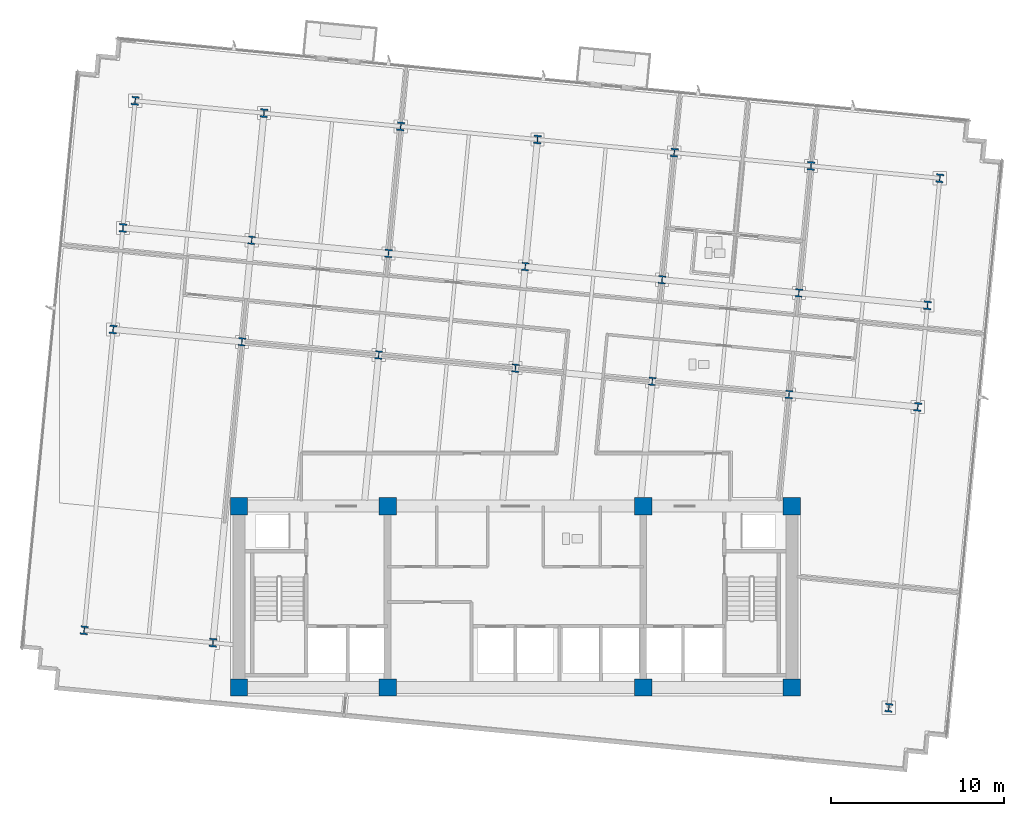
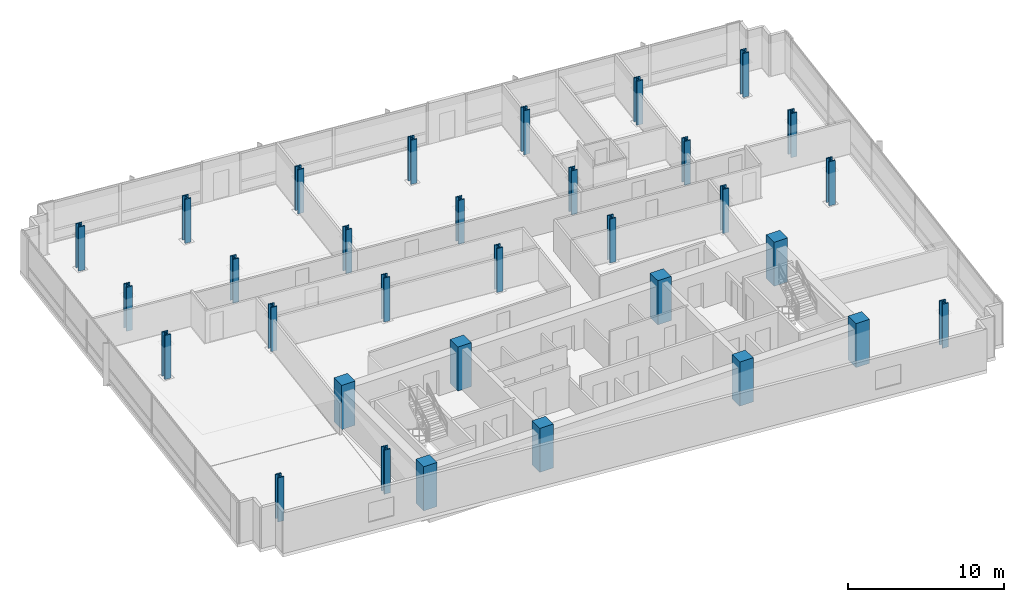
# One storey, part 1 of 17: 32 columns.
"""IFC4 building model written with IfcOpenShell, lengths in metres."""

from ifc_helpers import new_model, si_unit, direction, frame, origin, origin_2d, place, context, subcontext, project, spatial, rectangle, i_section, extrude, material, material_profile, profile_set, type_object, element, save


model = new_model("IFC4")

# Units and contexts
model_context = context("Model", 3, precision=1e-05, world=origin(), true_north=direction((0.0, 1.0)))
body_context = subcontext(model_context, "Body", "Model", "MODEL_VIEW")
ifc_project = project(units=[si_unit("LENGTHUNIT", "METRE"), si_unit("AREAUNIT", "SQUARE_METRE"), si_unit("VOLUMEUNIT", "CUBIC_METRE"), si_unit("PLANEANGLEUNIT", "RADIAN"), si_unit("MASSUNIT", "GRAM", prefix="KILO")], contexts=[model_context])

# Site, building, storey
site_placement = place(None, origin())
site = spatial("IfcSite", under=ifc_project, at=site_placement, CompositionType="ELEMENT")
building_placement = place(site_placement, origin())
building = spatial("IfcBuilding", under=site, at=building_placement, Name="Solmavex Isthmus Hotel", CompositionType="ELEMENT")
storey_placement = place(building_placement, frame((0.0, 0.0, 163.5)))
storey = spatial("IfcBuildingStorey", under=building, at=storey_placement, Name="L44", CompositionType="ELEMENT", Elevation=163.5)

# Columns
ifc_material_1 = material(Name="Concrete C60/75", Category="concrete")
ifc_material_profile_1 = material_profile(ifc_material_1, rectangle(XDim=1.0, YDim=1.0, at=origin_2d()), Name="RC1000X1000")
ifc_profile_set_1 = profile_set([ifc_material_profile_1], Name="Concrete C60/75")
column_type_1 = type_object("IfcColumnType", Name="COL-CC-1000", PredefinedType="COLUMN", material=ifc_profile_set_1)
for number, where, z_axis, x_axis, name in (
    (1, (-16.0, -13.0, 0.0), (0.0, 0.0, 1.0), (1.0, 0.0, 0.0), "Core Pilaster CC-SW L44"),
    (2, (-7.39990234375, -13.0, 0.0), (0.0, 0.0, 1.0), (1.0, 0.0, 0.0), "Core Pilaster CC-S1 L44"),
    (3, (7.39990234375, -13.0, 0.0), (0.0, 0.0, 1.0), (1.0, 0.0, 0.0), "Core Pilaster CC-S2 L44"),
    (4, (16.0, -13.0, 0.0), (0.0, 0.0, 1.0), (1.0, 0.0, 0.0), "Core Pilaster CC-SE L44"),
    (5, (-16.0, -2.5, 0.0), (0.0, 0.0, 1.0), (1.0, 0.0, 0.0), "Core Pilaster CC-NW L44"),
    (6, (-7.39990234375, -2.5, 0.0), (0.0, 0.0, 1.0), (1.0, 0.0, 0.0), "Core Pilaster CC-N1 L44"),
    (7, (7.39990234375, -2.5, 0.0), (0.0, 0.0, 1.0), (1.0, 0.0, 0.0), "Core Pilaster CC-N2 L44"),
    (8, (16.0, -2.5, 0.0), (0.0, 0.0, 1.0), (1.0, 0.0, 0.0), "Core Pilaster CC-NE L44"),
):
    element("IfcColumn", number, at=place(storey_placement, frame(where, z_axis=z_axis, x_axis=x_axis)), inside=storey, type_object=column_type_1, Name=name, PredefinedType="COLUMN", context=body_context, shape_type="SweptSolid", body=[
        extrude(rectangle(XDim=1.0, YDim=1.0, at=origin_2d()), origin(), (0.0, 0.0, 1.0), 3.449951171875),
    ])
ifc_material_2 = material(Name="Steel ASTM A913 Grade 65", Category="steel")
ifc_material_profile_2 = material_profile(ifc_material_2, i_section(OverallWidth=0.424072265625, OverallDepth=0.47412109375, WebThickness=0.047607421875, FlangeThickness=0.0771484375, FilletRadius=0.030517578125, at=origin_2d()), Name="W14X426")
ifc_profile_set_2 = profile_set([ifc_material_profile_2], Name="Steel ASTM A913 Grade 65")
column_type_2 = type_object("IfcColumnType", Name="COL-SC-W14X426", PredefinedType="COLUMN", material=ifc_profile_set_2)
for number, where, z_axis, x_axis, name in (
    (9, (-15.83740234375, 7.015380859375, 0.0), (0.0, 0.0, 1.0), (0.995396198367, -0.09584575252, 0.0), "Tower Column B3-U2V2 L44"),
    (10, (-15.271240234375, 12.896240234375, 0.0), (0.0, 0.0, 1.0), (0.995396198367, -0.09584575252, 0.0), "Tower Column B3-U2V3 L44"),
    (11, (-7.918212890625, 6.2529296875, 0.0), (0.0, 0.0, 1.0), (0.995396198367, -0.09584575252, 0.0), "Tower Column B3-U3V2 L44"),
    (12, (-7.351806640625, 12.1337890625, 0.0), (0.0, 0.0, 1.0), (0.995396198367, -0.09584575252, 0.0), "Tower Column B3-U3V3 L44"),
    (13, (0.001220703125, 5.490234375, 0.0), (0.0, 0.0, 1.0), (0.995396198367, -0.09584575252, 0.0), "Tower Column B3-U4V2 L44"),
    (14, (0.567626953125, 11.37109375, 0.0), (0.0, 0.0, 1.0), (0.995396198367, -0.09584575252, 0.0), "Tower Column B3-U4V3 L44"),
    (15, (7.920654296875, 4.727783203125, 0.0), (0.0, 0.0, 1.0), (0.995396198367, -0.09584575252, 0.0), "Tower Column B3-U5V2 L44"),
    (16, (8.48681640625, 10.608642578125, 0.0), (0.0, 0.0, 1.0), (0.995396198367, -0.09584575252, 0.0), "Tower Column B3-U5V3 L44"),
    (17, (15.840087890625, 3.96533203125, 0.0), (0.0, 0.0, 1.0), (0.995396198367, -0.09584575252, 0.0), "Tower Column B3-U6V2 L44"),
    (18, (16.40625, 9.845947265625, 0.0), (0.0, 0.0, 1.0), (0.995396198367, -0.09584575252, 0.0), "Tower Column B3-U6V3 L44"),
):
    element("IfcColumn", number, at=place(storey_placement, frame(where, z_axis=z_axis, x_axis=x_axis)), inside=storey, type_object=column_type_2, Name=name, PredefinedType="COLUMN", context=body_context, shape_type="SweptSolid", body=[
        extrude(i_section(OverallWidth=0.424072265625, OverallDepth=0.47412109375, WebThickness=0.047607421875, FlangeThickness=0.0771484375, FilletRadius=0.030517578125, at=origin_2d()), origin(), (0.0, 0.0, 1.0), 3.449951171875),
    ])
ifc_material_profile_3 = material_profile(ifc_material_2, i_section(OverallWidth=0.43212890625, OverallDepth=0.497802734375, WebThickness=0.0556640625, FlangeThickness=0.0888671875, FilletRadius=0.030517578125, at=origin_2d()), Name="W14X500")
ifc_profile_set_3 = profile_set([ifc_material_profile_3], Name="Steel ASTM A913 Grade 65")
column_type_3 = type_object("IfcColumnType", Name="COL-SC-W14X500", PredefinedType="COLUMN", material=ifc_profile_set_3)
for number, where, z_axis, x_axis, name in (
    (19, (-24.96826171875, -9.686279296875, 0.0), (0.0, 0.0, 1.0), (0.995396198367, -0.09584575252, 0.0), "Tower Column B3-U1V1 L44"),
    (20, (-23.291015625, 7.733154296875, 0.0), (0.0, 0.0, 1.0), (0.995396198367, -0.09584575252, 0.0), "Tower Column B3-U1V2 L44"),
    (21, (-22.724853515625, 13.614013671875, 0.0), (0.0, 0.0, 1.0), (0.995396198367, -0.09584575252, 0.0), "Tower Column B3-U1V3 L44"),
    (22, (-22.016357421875, 20.971923828125, 0.0), (0.0, 0.0, 1.0), (0.995396198367, -0.09584575252, 0.0), "Tower Column B3-U1V4 L44"),
    (23, (-17.5146484375, -10.404052734375, 0.0), (0.0, 0.0, 1.0), (0.995396198367, -0.09584575252, 0.0), "Tower Column B3-U2V1 L44"),
    (24, (-14.562744140625, 20.254150390625, 0.0), (0.0, 0.0, 1.0), (0.995396198367, -0.09584575252, 0.0), "Tower Column B3-U2V4 L44"),
    (25, (-6.643310546875, 19.49169921875, 0.0), (0.0, 0.0, 1.0), (0.995396198367, -0.09584575252, 0.0), "Tower Column B3-U3V4 L44"),
    (26, (1.276123046875, 18.72900390625, 0.0), (0.0, 0.0, 1.0), (0.995396198367, -0.09584575252, 0.0), "Tower Column B3-U4V4 L44"),
    (27, (9.1953125, 17.966552734375, 0.0), (0.0, 0.0, 1.0), (0.995396198367, -0.09584575252, 0.0), "Tower Column B3-U5V4 L44"),
    (28, (17.11474609375, 17.2041015625, 0.0), (0.0, 0.0, 1.0), (0.995396198367, -0.09584575252, 0.0), "Tower Column B3-U6V4 L44"),
    (29, (21.6162109375, -14.171875, 0.0), (0.0, 0.0, 1.0), (0.995396198367, -0.09584575252, 0.0), "Tower Column B3-U7V1 L44"),
    (30, (23.29345703125, 3.24755859375, 0.0), (0.0, 0.0, 1.0), (0.995396198367, -0.09584575252, 0.0), "Tower Column B3-U7V2 L44"),
    (31, (23.85986328125, 9.12841796875, 0.0), (0.0, 0.0, 1.0), (0.995396198367, -0.09584575252, 0.0), "Tower Column B3-U7V3 L44"),
    (32, (24.568359375, 16.486328125, 0.0), (0.0, 0.0, 1.0), (0.995396198367, -0.09584575252, 0.0), "Tower Column B3-U7V4 L44"),
):
    element("IfcColumn", number, at=place(storey_placement, frame(where, z_axis=z_axis, x_axis=x_axis)), inside=storey, type_object=column_type_3, Name=name, PredefinedType="COLUMN", context=body_context, shape_type="SweptSolid", body=[
        extrude(i_section(OverallWidth=0.43212890625, OverallDepth=0.497802734375, WebThickness=0.0556640625, FlangeThickness=0.0888671875, FilletRadius=0.030517578125, at=origin_2d()), origin(), (0.0, 0.0, 1.0), 3.449951171875),
    ])

save(model, "model.ifc")
